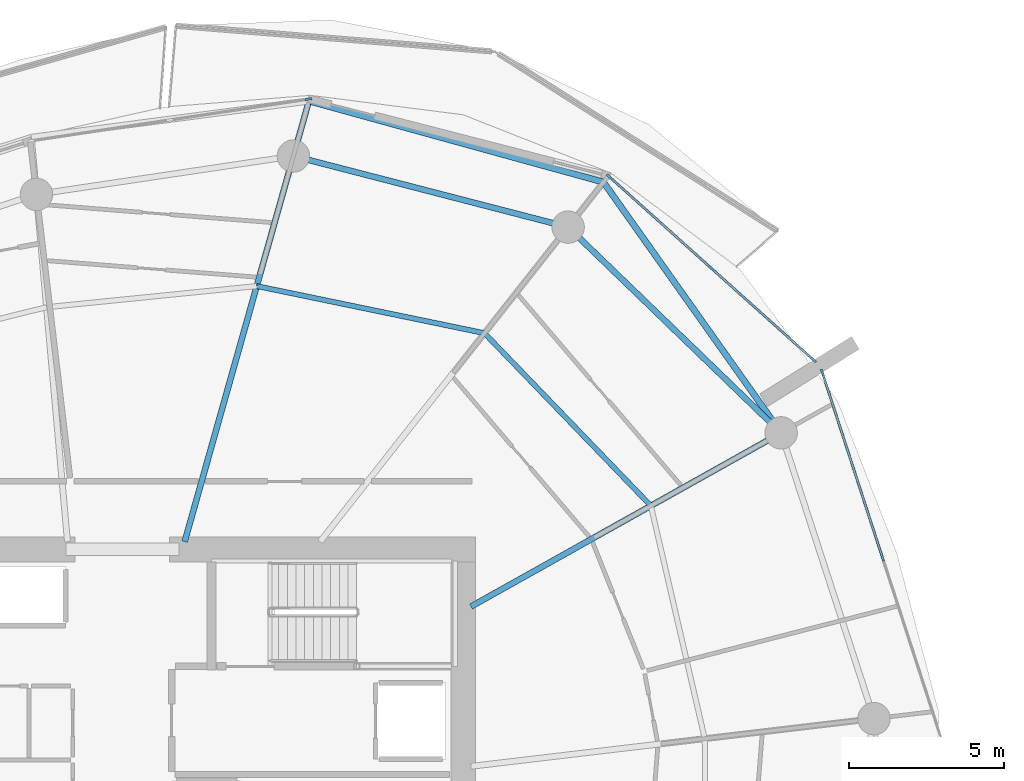
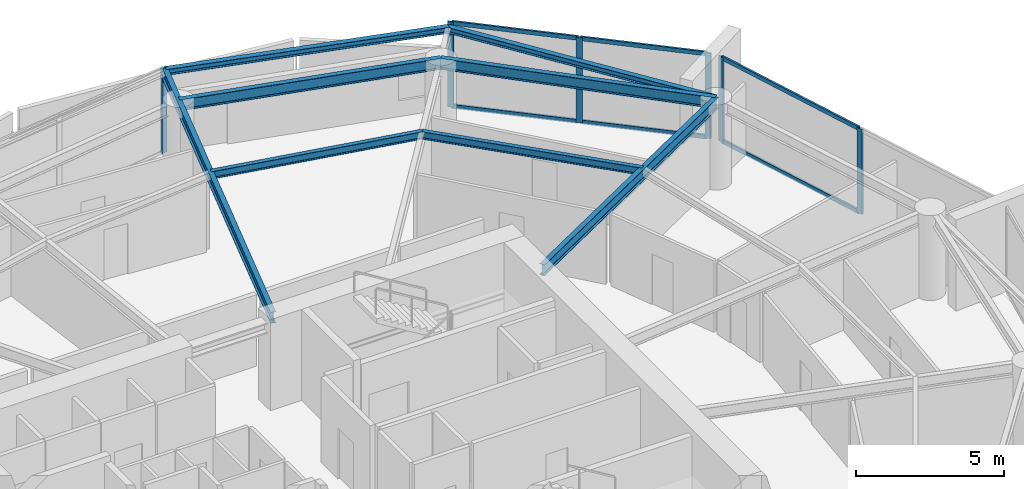
# One storey, part 9 of 20: 12 members, 8 beams, 3 elements without a shape of their own.
"""IFC4 building model written with IfcOpenShell, lengths in metres."""

from ifc_helpers import new_model, si_unit, direction, frame, origin, origin_2d, place, context, subcontext, project, spatial, rectangle, i_section, extrude, material, layer, layer_set, material_profile, profile_set, type_object, element, aggregate, save


model = new_model("IFC4")

# Units and contexts
model_context = context("Model", 3, precision=1e-05, world=origin(), true_north=direction((0.0, 1.0)))
body_context = subcontext(model_context, "Body", "Model", "MODEL_VIEW")
ifc_project = project(units=[si_unit("LENGTHUNIT", "METRE"), si_unit("AREAUNIT", "SQUARE_METRE"), si_unit("VOLUMEUNIT", "CUBIC_METRE"), si_unit("PLANEANGLEUNIT", "RADIAN"), si_unit("MASSUNIT", "GRAM", prefix="KILO")], contexts=[model_context])

# Site, building, storey
site_placement = place(None, origin())
site = spatial("IfcSite", under=ifc_project, at=site_placement, CompositionType="ELEMENT")
building_placement = place(site_placement, origin())
building = spatial("IfcBuilding", under=site, at=building_placement, Name="Kazma Halo Residences", CompositionType="ELEMENT")
storey_placement = place(building_placement, frame((0.0, 0.0, 157.800048828125)))
storey = spatial("IfcBuildingStorey", under=building, at=storey_placement, Name="L39", CompositionType="ELEMENT", Elevation=157.800048828125)

# Beams
ifc_material_1 = material(Name="Steel S355", Category="steel")
ifc_material_profile_1 = material_profile(ifc_material_1, i_section(OverallWidth=0.201904296875, OverallDepth=0.2470703125, WebThickness=0.00732421875, FlangeThickness=0.010986328125, FilletRadius=0.011962890625, at=origin_2d()), Name="W250x49.1")
ifc_profile_set_1 = profile_set([ifc_material_profile_1], Name="Steel S355")
beam_type_1 = type_object("IfcBeamType", Name="BM-BAL-CANT", PredefinedType="BEAM", material=ifc_profile_set_1)
beam_1_placement = place(storey_placement, frame((69.730224609375, 54.16943359375, 3.37646484375), z_axis=(-0.578203432081, 0.81589263456, 0.0), x_axis=(-0.81589263456, -0.578203432081, 0.0)))
element("IfcBeam", 1, at=beam_1_placement, inside=storey, type_object=beam_type_1, Name="L39 wave-balcony lead tie beam 01", PredefinedType="BEAM", context=body_context, shape_type="SweptSolid", body=[
    extrude(i_section(OverallWidth=0.201904296875, OverallDepth=0.2470703125, WebThickness=0.00732421875, FlangeThickness=0.010986328125, FilletRadius=0.011962890625, at=origin_2d()), origin(), (0.0, 0.0, 1.0), 9.9365234375),
])
beam_2_placement = place(storey_placement, frame((63.98486328125, 62.276611328125, 3.37646484375), z_axis=(-0.964045237638, 0.265738179019, 0.0), x_axis=(-0.265738179019, -0.964045237638, 0.0)))
element("IfcBeam", 2, at=beam_2_placement, inside=storey, type_object=beam_type_1, Name="L39 wave-balcony tie beam 02", PredefinedType="BEAM", context=body_context, shape_type="SweptSolid", body=[
    extrude(i_section(OverallWidth=0.201904296875, OverallDepth=0.2470703125, WebThickness=0.00732421875, FlangeThickness=0.010986328125, FilletRadius=0.011962890625, at=origin_2d()), origin(), (0.0, 0.0, 1.0), 9.880859375),
])
ifc_material_profile_2 = material_profile(ifc_material_1, i_section(OverallWidth=0.18994140625, OverallDepth=0.45703125, WebThickness=0.009033203125, FlangeThickness=0.014404296875, FilletRadius=0.01611328125, at=origin_2d()), Name="W460x74")
ifc_profile_set_2 = profile_set([ifc_material_profile_2], Name="Steel S355")
beam_type_2 = type_object("IfcBeamType", Name="BM-RAD-W460", PredefinedType="BEAM", material=ifc_profile_set_2)
beam_3_placement = place(storey_placement, frame((59.699951171875, 48.55224609375, 3.271484375), z_axis=(0.872497324456, 0.488618889132, 0.0), x_axis=(-0.488618889132, 0.872497324456, 0.0)))
element("IfcBeam", 3, at=beam_3_placement, inside=storey, type_object=beam_type_2, Name="L39 radial floor beam 01", PredefinedType="BEAM", context=body_context, shape_type="SweptSolid", body=[
    extrude(i_section(OverallWidth=0.18994140625, OverallDepth=0.45703125, WebThickness=0.009033203125, FlangeThickness=0.014404296875, FilletRadius=0.01611328125, at=origin_2d()), origin(), (0.0, 0.0, 1.0), 11.49609375),
])
beam_4_placement = place(storey_placement, frame((50.439697265625, 50.64990234375, 3.271484375), z_axis=(0.271435886816, 0.962456523355, 0.0), x_axis=(-0.962456523355, 0.271435886816, 0.0)))
element("IfcBeam", 4, at=beam_4_placement, inside=storey, type_object=beam_type_2, Name="L39 radial floor beam 03", PredefinedType="BEAM", context=body_context, shape_type="SweptSolid", body=[
    extrude(i_section(OverallWidth=0.18994140625, OverallDepth=0.45703125, WebThickness=0.009033203125, FlangeThickness=0.014404296875, FilletRadius=0.01611328125, at=origin_2d()), origin(), (0.0, 0.0, 1.0), 14.808349609375),
])
ifc_material_profile_3 = material_profile(ifc_material_1, i_section(OverallWidth=0.1650390625, OverallDepth=0.31005859375, WebThickness=0.005859375, FlangeThickness=0.009765625, FilletRadius=0.011962890625, at=origin_2d()), Name="W310x38.7")
ifc_profile_set_3 = profile_set([ifc_material_profile_3], Name="Steel S355")
beam_type_3 = type_object("IfcBeamType", Name="BM-SEC-W310B", PredefinedType="JOIST", material=ifc_profile_set_3)
beam_5_placement = place(storey_placement, frame((65.517578125, 51.810302734375, 3.344970703125), z_axis=(-0.694049338985, 0.719927437354, 0.0), x_axis=(-0.719927437354, -0.694049338985, 0.0)))
element("IfcBeam", 5, at=beam_5_placement, inside=storey, type_object=beam_type_3, Name="L39 circumferential floor joist 01", PredefinedType="JOIST", context=body_context, shape_type="SweptSolid", body=[
    extrude(i_section(OverallWidth=0.1650390625, OverallDepth=0.31005859375, WebThickness=0.005859375, FlangeThickness=0.009765625, FilletRadius=0.011962890625, at=origin_2d()), origin(), (0.0, 0.0, 1.0), 7.7548828125),
])
beam_6_placement = place(storey_placement, frame((60.13525390625, 57.393310546875, 3.344970703125), z_axis=(-0.979272189631, 0.202548706773, 0.0), x_axis=(-0.202548706773, -0.979272189631, 0.0)))
element("IfcBeam", 6, at=beam_6_placement, inside=storey, type_object=beam_type_3, Name="L39 circumferential floor joist 02", PredefinedType="JOIST", context=body_context, shape_type="SweptSolid", body=[
    extrude(i_section(OverallWidth=0.1650390625, OverallDepth=0.31005859375, WebThickness=0.005859375, FlangeThickness=0.009765625, FilletRadius=0.011962890625, at=origin_2d()), origin(), (0.0, 0.0, 1.0), 7.52001953125),
])
ifc_material_profile_4 = material_profile(ifc_material_1, i_section(OverallWidth=0.18994140625, OverallDepth=0.45703125, WebThickness=0.009033203125, FlangeThickness=0.014404296875, FilletRadius=0.01611328125, at=origin_2d()), Name="W460x74")
ifc_profile_set_4 = profile_set([ifc_material_profile_4], Name="Steel S355")
beam_type_4 = type_object("IfcBeamType", Name="BM-SPN-W460", PredefinedType="BEAM", material=ifc_profile_set_4)
beam_7_placement = place(storey_placement, frame((69.730224609375, 54.16943359375, 3.271484375), z_axis=(-0.719334705845, 0.694663645923, 0.0), x_axis=(-0.694663645923, -0.719334705845, 0.0)))
element("IfcBeam", 7, at=beam_7_placement, inside=storey, type_object=beam_type_4, Name="L39 perimeter ring beam 01", PredefinedType="BEAM", context=body_context, shape_type="SweptSolid", body=[
    extrude(i_section(OverallWidth=0.18994140625, OverallDepth=0.45703125, WebThickness=0.009033203125, FlangeThickness=0.014404296875, FilletRadius=0.01611328125, at=origin_2d()), origin(), (0.0, 0.0, 1.0), 9.5791015625),
])
beam_8_placement = place(storey_placement, frame((62.839599609375, 60.82373046875, 3.271484375), z_axis=(-0.968123664213, 0.250472694699, 0.0), x_axis=(-0.250472694699, -0.968123664213, 0.0)))
element("IfcBeam", 8, at=beam_8_placement, inside=storey, type_object=beam_type_4, Name="L39 perimeter ring beam 02", PredefinedType="BEAM", context=body_context, shape_type="SweptSolid", body=[
    extrude(i_section(OverallWidth=0.18994140625, OverallDepth=0.45703125, WebThickness=0.009033203125, FlangeThickness=0.014404296875, FilletRadius=0.01611328125, at=origin_2d()), origin(), (0.0, 0.0, 1.0), 9.175048828125),
])

# Curtain wall, members
ifc_material_2 = material(Name="Aluminium AW-6063 T6 and Triple-Silver Low-E Glass", Category="aluminium")
ifc_layer = layer(ifc_material_2, 0.219970703125)
ifc_layer_set = layer_set([ifc_layer], Name="Aluminium AW-6063 T6 and Triple-Silver Low-E Glass")
curtain_wall_type = type_object("IfcCurtainWallType", Name="CW-SYS-4", PredefinedType="NOTDEFINED", material=ifc_layer_set)
curtain_wall_1_placement = place(storey_placement, origin())
curtain_wall_1 = element("IfcCurtainWall", 9, at=curtain_wall_1_placement, inside=storey, type_object=curtain_wall_type, Name="L39 unitised curtain wall B01", PredefinedType="NOTDEFINED")
ifc_material_3 = material(Name="Aluminium AW-6063 T6", Category="aluminium")
ifc_material_profile_5 = material_profile(ifc_material_3, rectangle(XDim=0.074951171875, YDim=0.219970703125, at=origin_2d()), Name="CWM-75x220")
ifc_profile_set_5 = profile_set([ifc_material_profile_5], Name="Aluminium AW-6063 T6")
member_type_1 = type_object("IfcMemberType", Name="CW-SYS-4-MUL", PredefinedType="MULLION", material=ifc_profile_set_5)
member_1_placement = place(storey_placement, frame((70.778564453125, 56.5263671875, 0.0), z_axis=(0.0, 0.0, 1.0), x_axis=(-0.667770096247, -0.744367582957, 0.0)))
member_1 = element("IfcMember", 10, at=member_1_placement, type_object=member_type_1, Name="CWS-4 mullion 1", PredefinedType="MULLION", context=body_context, shape_type="SweptSolid", body=[
    extrude(rectangle(XDim=0.074951171875, YDim=0.219970703125, at=origin_2d()), origin(), (0.0, 0.0, 1.0), 3.5),
])
member_2_placement = place(storey_placement, frame((67.47509765625, 59.48974609375, 0.0), z_axis=(0.0, 0.0, 1.0), x_axis=(-0.667770096247, -0.744367582957, 0.0)))
member_2 = element("IfcMember", 11, at=member_2_placement, type_object=member_type_1, Name="CWS-4 mullion 2", PredefinedType="MULLION", context=body_context, shape_type="SweptSolid", body=[
    extrude(rectangle(XDim=0.074951171875, YDim=0.219970703125, at=origin_2d()), origin(), (0.0, 0.0, 1.0), 3.5),
])
member_3_placement = place(storey_placement, frame((64.171630859375, 62.453369140625, 0.0), z_axis=(0.0, 0.0, 1.0), x_axis=(-0.667770096247, -0.744367582957, 0.0)))
member_3 = element("IfcMember", 12, at=member_3_placement, type_object=member_type_1, Name="CWS-4 mullion 3", PredefinedType="MULLION", context=body_context, shape_type="SweptSolid", body=[
    extrude(rectangle(XDim=0.074951171875, YDim=0.219970703125, at=origin_2d()), origin(), (0.0, 0.0, 1.0), 3.5),
])

# Curtain wall, member
curtain_wall_2_placement = place(storey_placement, origin())
curtain_wall_2 = element("IfcCurtainWall", 13, at=curtain_wall_2_placement, inside=storey, type_object=curtain_wall_type, Name="L39 unitised curtain wall B03", PredefinedType="NOTDEFINED")
member_4_placement = place(storey_placement, frame((54.440673828125, 64.962890625, 0.0), z_axis=(0.0, 0.0, 1.0), x_axis=(0.148821022686, -0.988864148004, 0.0)))
member_4 = element("IfcMember", 14, at=member_4_placement, type_object=member_type_1, Name="CWS-4 mullion 1", PredefinedType="MULLION", context=body_context, shape_type="SweptSolid", body=[
    extrude(rectangle(XDim=0.074951171875, YDim=0.219970703125, at=origin_2d()), origin(), (0.0, 0.0, 1.0), 3.5),
])
aggregate(curtain_wall_2, [member_4])

# Curtain wall, members
curtain_wall_3_placement = place(storey_placement, origin())
curtain_wall_3 = element("IfcCurtainWall", 15, at=curtain_wall_3_placement, inside=storey, type_object=curtain_wall_type, Name="L39 unitised curtain wall B16", PredefinedType="NOTDEFINED")
member_5_placement = place(storey_placement, frame((73.009033203125, 50.1259765625, 0.0), z_axis=(0.0, 0.0, 1.0), x_axis=(-0.951057547609, -0.3090138203, 0.0)))
member_5 = element("IfcMember", 16, at=member_5_placement, type_object=member_type_1, Name="CWS-4 mullion 2", PredefinedType="MULLION", context=body_context, shape_type="SweptSolid", body=[
    extrude(rectangle(XDim=0.074951171875, YDim=0.219970703125, at=origin_2d()), origin(), (0.0, 0.0, 1.0), 3.5),
])
member_6_placement = place(storey_placement, frame((71.062255859375, 56.117431640625, 0.0), z_axis=(0.0, 0.0, 1.0), x_axis=(-0.951057547609, -0.3090138203, 0.0)))
member_6 = element("IfcMember", 17, at=member_6_placement, type_object=member_type_1, Name="CWS-4 mullion 3", PredefinedType="MULLION", context=body_context, shape_type="SweptSolid", body=[
    extrude(rectangle(XDim=0.074951171875, YDim=0.219970703125, at=origin_2d()), origin(), (0.0, 0.0, 1.0), 3.5),
])

# Member
ifc_material_profile_6 = material_profile(ifc_material_3, rectangle(XDim=0.074951171875, YDim=0.1650390625, at=origin_2d()), Name="CWT-75x165")
ifc_profile_set_6 = profile_set([ifc_material_profile_6], Name="Aluminium AW-6063 T6")
member_type_2 = type_object("IfcMemberType", Name="CW-SYS-4-TRN", PredefinedType="USERDEFINED", material=ifc_profile_set_6)
member_7_placement = place(storey_placement, frame((70.75048828125, 56.55126953125, 0.037353515625), z_axis=(-0.744344978888, 0.66779529229, 0.0), x_axis=(-0.66779529229, -0.744344978888, 0.0)))
member_7 = element("IfcMember", 18, at=member_7_placement, type_object=member_type_2, Name="CWS-4 transom 1.1", ObjectType="TRANSOM", PredefinedType="USERDEFINED", context=body_context, shape_type="SweptSolid", body=[
    extrude(rectangle(XDim=0.074951171875, YDim=0.1650390625, at=origin_2d()), origin(), (0.0, 0.0, 1.0), 4.363037109375),
])

member_8_placement = place(storey_placement, frame((70.75048828125, 56.55126953125, 3.46240234375), z_axis=(-0.744344978888, 0.66779529229, 0.0), x_axis=(-0.66779529229, -0.744344978888, 0.0)))
member_8 = element("IfcMember", 19, at=member_8_placement, type_object=member_type_2, Name="CWS-4 transom 1.2", ObjectType="TRANSOM", PredefinedType="USERDEFINED", context=body_context, shape_type="SweptSolid", body=[
    extrude(rectangle(XDim=0.074951171875, YDim=0.1650390625, at=origin_2d()), origin(), (0.0, 0.0, 1.0), 4.363037109375),
])

member_9_placement = place(storey_placement, frame((67.447265625, 59.514892578125, 0.037353515625), z_axis=(-0.744372794017, 0.667764287401, 0.0), x_axis=(-0.667764287401, -0.744372794017, 0.0)))
member_9 = element("IfcMember", 20, at=member_9_placement, type_object=member_type_2, Name="CWS-4 transom 2.1", ObjectType="TRANSOM", PredefinedType="USERDEFINED", context=body_context, shape_type="SweptSolid", body=[
    extrude(rectangle(XDim=0.074951171875, YDim=0.1650390625, at=origin_2d()), origin(), (0.0, 0.0, 1.0), 4.36279296875),
])

member_10_placement = place(storey_placement, frame((67.447265625, 59.514892578125, 3.46240234375), z_axis=(-0.744372794017, 0.667764287401, 0.0), x_axis=(-0.667764287401, -0.744372794017, 0.0)))
member_10 = element("IfcMember", 21, at=member_10_placement, type_object=member_type_2, Name="CWS-4 transom 2.2", ObjectType="TRANSOM", PredefinedType="USERDEFINED", context=body_context, shape_type="SweptSolid", body=[
    extrude(rectangle(XDim=0.074951171875, YDim=0.1650390625, at=origin_2d()), origin(), (0.0, 0.0, 1.0), 4.36279296875),
])

aggregate(curtain_wall_1, [member_1, member_2, member_3, member_7, member_8, member_9, member_10])

member_11_placement = place(storey_placement, frame((72.99755859375, 50.16162109375, 0.037353515625), z_axis=(-0.309017784977, 0.951056259413, 0.0), x_axis=(-0.951056259413, -0.309017784977, 0.0)))
member_11 = element("IfcMember", 22, at=member_11_placement, type_object=member_type_2, Name="CWS-4 transom 2.1", ObjectType="TRANSOM", PredefinedType="USERDEFINED", context=body_context, shape_type="SweptSolid", body=[
    extrude(rectangle(XDim=0.074951171875, YDim=0.1650390625, at=origin_2d()), origin(), (0.0, 0.0, 1.0), 6.224853515625),
])

member_12_placement = place(storey_placement, frame((72.99755859375, 50.16162109375, 3.46240234375), z_axis=(-0.309017784977, 0.951056259413, 0.0), x_axis=(-0.951056259413, -0.309017784977, 0.0)))
member_12 = element("IfcMember", 23, at=member_12_placement, type_object=member_type_2, Name="CWS-4 transom 2.2", ObjectType="TRANSOM", PredefinedType="USERDEFINED", context=body_context, shape_type="SweptSolid", body=[
    extrude(rectangle(XDim=0.074951171875, YDim=0.1650390625, at=origin_2d()), origin(), (0.0, 0.0, 1.0), 6.224853515625),
])

aggregate(curtain_wall_3, [member_5, member_6, member_11, member_12])

save(model, "model.ifc")
